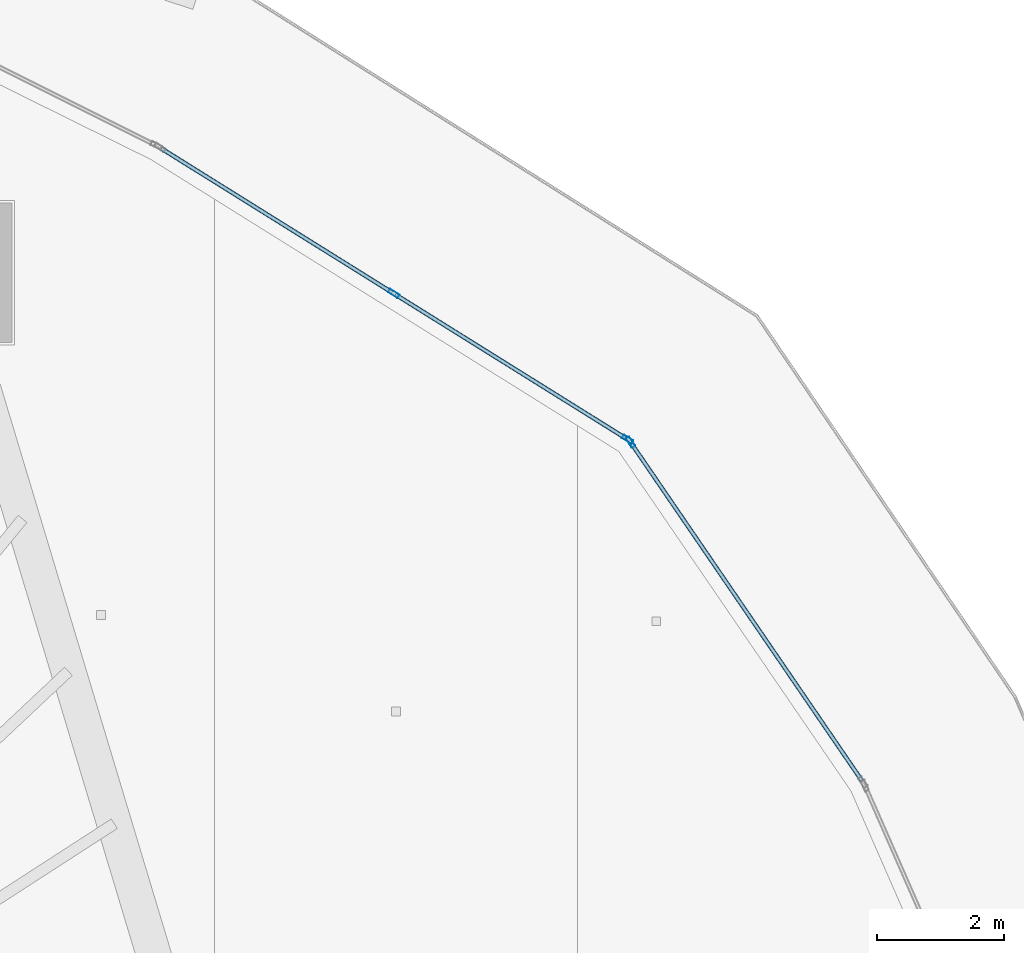
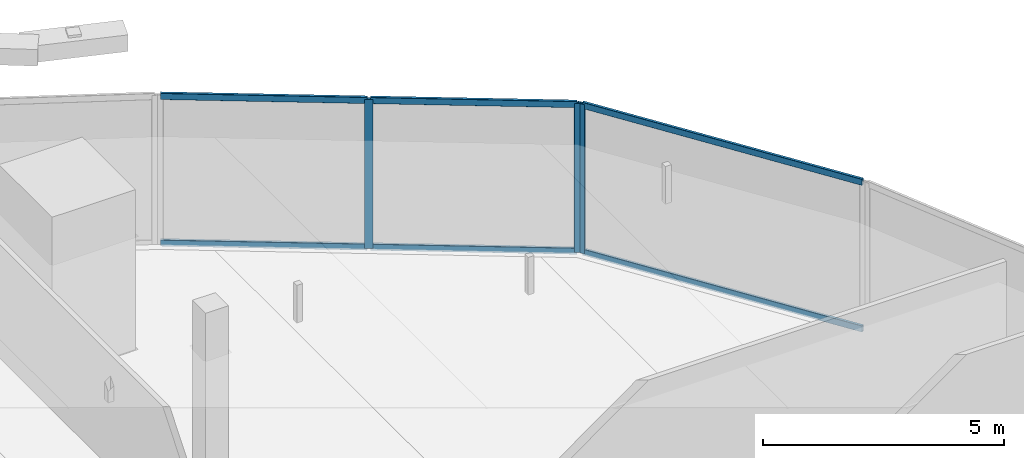
# One storey, part 22 of 39: 9 members, 2 elements without a shape of their own.
"""IFC4 building model written with IfcOpenShell, lengths in metres."""

from ifc_helpers import new_model, si_unit, direction, frame, origin, origin_2d, place, context, subcontext, project, spatial, hollow_rectangle, extrude, material, layer, layer_set, material_profile, profile_set, type_object, element, aggregate, save


model = new_model("IFC4")

# Units and contexts
model_context = context("Model", 3, precision=1e-05, world=origin(), true_north=direction((0.0, 1.0)))
body_context = subcontext(model_context, "Body", "Model", "MODEL_VIEW")
ifc_project = project(units=[si_unit("LENGTHUNIT", "METRE"), si_unit("AREAUNIT", "SQUARE_METRE"), si_unit("VOLUMEUNIT", "CUBIC_METRE"), si_unit("PLANEANGLEUNIT", "RADIAN"), si_unit("MASSUNIT", "GRAM", prefix="KILO")], contexts=[model_context])

# Site, building, storey
site_placement = place(None, origin())
site = spatial("IfcSite", under=ifc_project, at=site_placement, CompositionType="ELEMENT")
building_placement = place(site_placement, origin())
building = spatial("IfcBuilding", under=site, at=building_placement, Name="Qorvath Tower", CompositionType="ELEMENT")
storey_placement = place(building_placement, frame((0.0, 0.0, 162.449951171875)))
storey = spatial("IfcBuildingStorey", under=building, at=storey_placement, Name="L37", CompositionType="ELEMENT", Elevation=162.449951171875)

# Curtain wall, member
ifc_material_1 = material(Name="Anodised aluminium and triple low-E glass", Category="aluminium")
ifc_layer = layer(ifc_material_1, 0.179931640625)
ifc_layer_set = layer_set([ifc_layer], Name="CW-SYS-3")
curtain_wall_type = type_object("IfcCurtainWallType", Name="CW-SYS-3", PredefinedType="NOTDEFINED", material=ifc_layer_set)
curtain_wall_1_placement = place(storey_placement, origin())
curtain_wall_1 = element("IfcCurtainWall", 1, at=curtain_wall_1_placement, inside=storey, type_object=curtain_wall_type, Name="Curtain Wall CW-3 CW-T-L37-13.1", PredefinedType="NOTDEFINED")
ifc_material_2 = material(Name="Anodised aluminium 6063-T6", Category="aluminium")
ifc_material_profile_1 = material_profile(ifc_material_2, hollow_rectangle(XDim=0.06494140625, YDim=0.179931640625, WallThickness=0.00341796875, InnerFilletRadius=0.00341796875, OuterFilletRadius=0.007080078125, at=origin_2d()), Name="CWM 180x65")
ifc_profile_set_1 = profile_set([ifc_material_profile_1], Name="Anodised aluminium 6063-T6")
member_type_1 = type_object("IfcMemberType", Name="CWM-180", PredefinedType="MULLION", material=ifc_profile_set_1)
member_1_placement = place(storey_placement, frame((-4.56787109375, 22.567138671875, 0.0), z_axis=(0.0, 0.0, 1.0), x_axis=(-0.825559911065, -0.564314480802, 0.0)))
member_1 = element("IfcMember", 2, at=member_1_placement, type_object=member_type_1, Name="CW-3 mullion 2", PredefinedType="MULLION", context=body_context, shape_type="SweptSolid", body=[
    extrude(hollow_rectangle(XDim=0.06494140625, YDim=0.179931640625, WallThickness=0.00341796875, InnerFilletRadius=0.00341796875, OuterFilletRadius=0.007080078125, at=origin_2d()), origin(), (0.0, 0.0, 1.0), 3.780029296875),
])

# Curtain wall, members
curtain_wall_2_placement = place(storey_placement, origin())
curtain_wall_2 = element("IfcCurtainWall", 3, at=curtain_wall_2_placement, inside=storey, type_object=curtain_wall_type, Name="Curtain Wall CW-3 CW-T-L37-14.1", PredefinedType="NOTDEFINED")
member_2_placement = place(storey_placement, frame((-4.61376953125, 22.611083984375, 0.0), z_axis=(0.0, 0.0, 1.0), x_axis=(-0.52938420478, -0.848382203803, 0.0)))
member_2 = element("IfcMember", 4, at=member_2_placement, type_object=member_type_1, Name="CW-3 mullion 1", PredefinedType="MULLION", context=body_context, shape_type="SweptSolid", body=[
    extrude(hollow_rectangle(XDim=0.06494140625, YDim=0.179931640625, WallThickness=0.00341796875, InnerFilletRadius=0.00341796875, OuterFilletRadius=0.007080078125, at=origin_2d()), origin(), (0.0, 0.0, 1.0), 3.780029296875),
])
member_3_placement = place(storey_placement, frame((-8.30859375, 24.916748046875, 0.0), z_axis=(0.0, 0.0, 1.0), x_axis=(-0.52938420478, -0.848382203803, 0.0)))
member_3 = element("IfcMember", 5, at=member_3_placement, type_object=member_type_1, Name="CW-3 mullion 2", PredefinedType="MULLION", context=body_context, shape_type="SweptSolid", body=[
    extrude(hollow_rectangle(XDim=0.06494140625, YDim=0.179931640625, WallThickness=0.00341796875, InnerFilletRadius=0.00341796875, OuterFilletRadius=0.007080078125, at=origin_2d()), origin(), (0.0, 0.0, 1.0), 3.780029296875),
])

# Member
ifc_material_3 = material(Name="Anodised aluminium 6063-T6", Category="aluminium")
ifc_material_profile_2 = material_profile(ifc_material_3, hollow_rectangle(XDim=0.06494140625, YDim=0.159912109375, WallThickness=0.00341796875, InnerFilletRadius=0.00341796875, OuterFilletRadius=0.007080078125, at=origin_2d()), Name="CWT 160x65")
ifc_profile_set_2 = profile_set([ifc_material_profile_2], Name="Anodised aluminium 6063-T6")
member_type_2 = type_object("IfcMemberType", Name="CWT-160", PredefinedType="USERDEFINED", material=ifc_profile_set_2)
member_4_placement = place(storey_placement, frame((-0.9150390625, 17.223388671875, 0.032470703125), z_axis=(-0.564329177846, 0.825549864655, 0.0), x_axis=(-0.825549864655, -0.564329177846, 0.0)))
member_4 = element("IfcMember", 6, at=member_4_placement, type_object=member_type_2, Name="CW-3 transom 1.1", ObjectType="TRANSOM", PredefinedType="USERDEFINED", context=body_context, shape_type="SweptSolid", body=[
    extrude(hollow_rectangle(XDim=0.06494140625, YDim=0.159912109375, WallThickness=0.00341796875, InnerFilletRadius=0.00341796875, OuterFilletRadius=0.007080078125, at=origin_2d()), origin(), (0.0, 0.0, 1.0), 6.4404296875),
])

member_5_placement = place(storey_placement, frame((-0.9150390625, 17.223388671875, 3.74755859375), z_axis=(-0.564329177846, 0.825549864655, 0.0), x_axis=(-0.825549864655, -0.564329177846, 0.0)))
member_5 = element("IfcMember", 7, at=member_5_placement, type_object=member_type_2, Name="CW-3 transom 1.2", ObjectType="TRANSOM", PredefinedType="USERDEFINED", context=body_context, shape_type="SweptSolid", body=[
    extrude(hollow_rectangle(XDim=0.06494140625, YDim=0.159912109375, WallThickness=0.00341796875, InnerFilletRadius=0.00341796875, OuterFilletRadius=0.007080078125, at=origin_2d()), origin(), (0.0, 0.0, 1.0), 6.4404296875),
])

aggregate(curtain_wall_1, [member_1, member_4, member_5])

member_6_placement = place(storey_placement, frame((-4.641357421875, 22.62841796875, 0.032470703125), z_axis=(-0.84836895075, 0.529405443307, 0.0), x_axis=(-0.529405443307, -0.84836895075, 0.0)))
member_6 = element("IfcMember", 8, at=member_6_placement, type_object=member_type_2, Name="CW-3 transom 1.1", ObjectType="TRANSOM", PredefinedType="USERDEFINED", context=body_context, shape_type="SweptSolid", body=[
    extrude(hollow_rectangle(XDim=0.06494140625, YDim=0.159912109375, WallThickness=0.00341796875, InnerFilletRadius=0.00341796875, OuterFilletRadius=0.007080078125, at=origin_2d()), origin(), (0.0, 0.0, 1.0), 4.290283203125),
])

member_7_placement = place(storey_placement, frame((-4.641357421875, 22.62841796875, 3.74755859375), z_axis=(-0.84836895075, 0.529405443307, 0.0), x_axis=(-0.529405443307, -0.84836895075, 0.0)))
member_7 = element("IfcMember", 9, at=member_7_placement, type_object=member_type_2, Name="CW-3 transom 1.2", ObjectType="TRANSOM", PredefinedType="USERDEFINED", context=body_context, shape_type="SweptSolid", body=[
    extrude(hollow_rectangle(XDim=0.06494140625, YDim=0.159912109375, WallThickness=0.00341796875, InnerFilletRadius=0.00341796875, OuterFilletRadius=0.007080078125, at=origin_2d()), origin(), (0.0, 0.0, 1.0), 4.290283203125),
])

member_8_placement = place(storey_placement, frame((-8.336181640625, 24.933837890625, 0.032470703125), z_axis=(-0.84836895075, 0.529405443307, 0.0), x_axis=(-0.529405443307, -0.84836895075, 0.0)))
member_8 = element("IfcMember", 10, at=member_8_placement, type_object=member_type_2, Name="CW-3 transom 2.1", ObjectType="TRANSOM", PredefinedType="USERDEFINED", context=body_context, shape_type="SweptSolid", body=[
    extrude(hollow_rectangle(XDim=0.06494140625, YDim=0.159912109375, WallThickness=0.00341796875, InnerFilletRadius=0.00341796875, OuterFilletRadius=0.007080078125, at=origin_2d()), origin(), (0.0, 0.0, 1.0), 4.290283203125),
])

member_9_placement = place(storey_placement, frame((-8.336181640625, 24.933837890625, 3.74755859375), z_axis=(-0.84836895075, 0.529405443307, 0.0), x_axis=(-0.529405443307, -0.84836895075, 0.0)))
member_9 = element("IfcMember", 11, at=member_9_placement, type_object=member_type_2, Name="CW-3 transom 2.2", ObjectType="TRANSOM", PredefinedType="USERDEFINED", context=body_context, shape_type="SweptSolid", body=[
    extrude(hollow_rectangle(XDim=0.06494140625, YDim=0.159912109375, WallThickness=0.00341796875, InnerFilletRadius=0.00341796875, OuterFilletRadius=0.007080078125, at=origin_2d()), origin(), (0.0, 0.0, 1.0), 4.290283203125),
])

aggregate(curtain_wall_2, [member_2, member_3, member_6, member_7, member_8, member_9])

save(model, "model.ifc")
